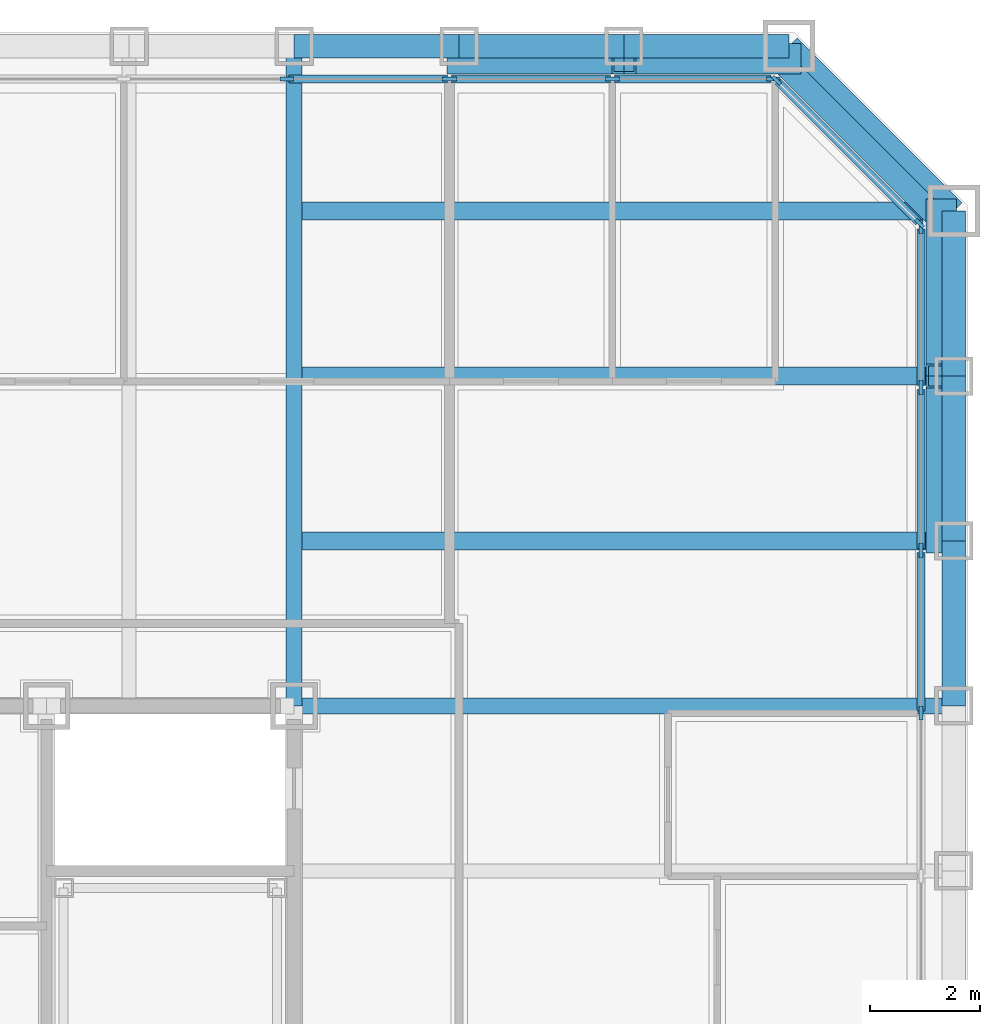
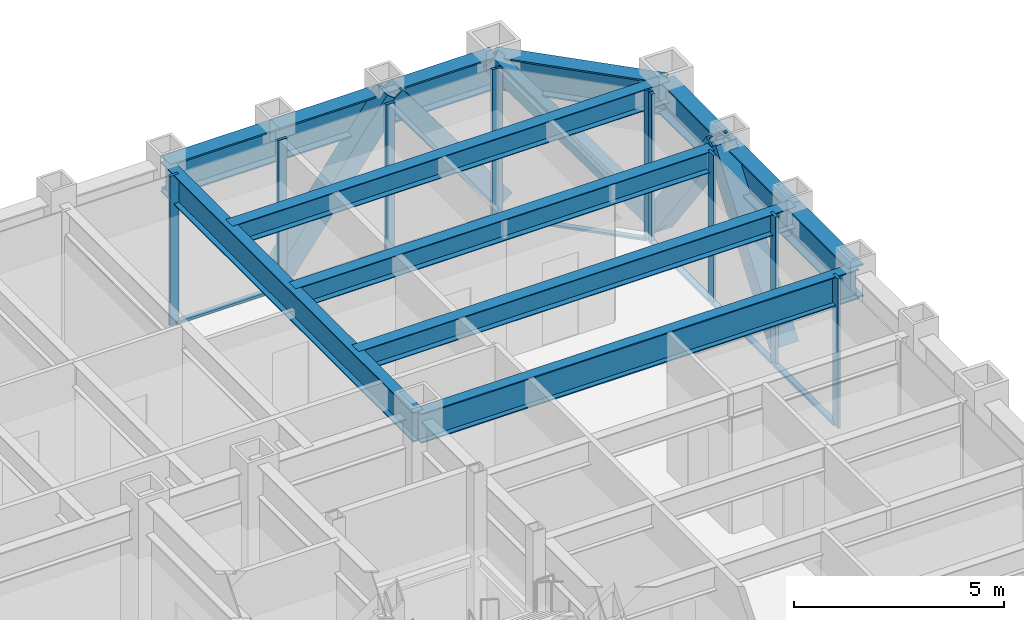
# One storey, part 6 of 16: 22 members, 12 beams, 3 elements without a shape of their own.
"""IFC4 building model written with IfcOpenShell, lengths in metres."""

from ifc_helpers import new_model, si_unit, direction, frame, origin, origin_2d, place, context, subcontext, project, spatial, rectangle, hollow_rectangle, i_section, extrude, material, layer, layer_set, material_profile, profile_set, type_object, element, aggregate, save


model = new_model("IFC4")

# Units and contexts
model_context = context("Model", 3, precision=1e-05, world=origin(), true_north=direction((0.0, 1.0)))
body_context = subcontext(model_context, "Body", "Model", "MODEL_VIEW")
ifc_project = project(units=[si_unit("LENGTHUNIT", "METRE"), si_unit("AREAUNIT", "SQUARE_METRE"), si_unit("VOLUMEUNIT", "CUBIC_METRE"), si_unit("PLANEANGLEUNIT", "RADIAN"), si_unit("MASSUNIT", "GRAM", prefix="KILO")], contexts=[model_context])

# Site, building, storey
site_placement = place(None, origin())
site = spatial("IfcSite", under=ifc_project, at=site_placement, CompositionType="ELEMENT")
building_placement = place(site_placement, origin())
building = spatial("IfcBuilding", under=site, at=building_placement, Name="Chuquiago Exchange Tower", CompositionType="ELEMENT")
storey_placement = place(building_placement, frame((0.0, 0.0, 73.800048828125)))
storey = spatial("IfcBuildingStorey", under=building, at=storey_placement, Name="L15", CompositionType="ELEMENT", Elevation=73.800048828125)

# Beams
ifc_material_1 = material(Name="Steel ASTM A992", Category="steel")
ifc_material_profile_1 = material_profile(ifc_material_1, i_section(OverallWidth=0.3251953125, OverallDepth=0.6171875, WebThickness=0.013916015625, FlangeThickness=0.021484375, at=origin_2d()), Name="W24X117")
ifc_profile_set_1 = profile_set([ifc_material_profile_1], Name="Steel ASTM A992")
beam_type_1 = type_object("IfcBeamType", Name="B5 W24X117", PredefinedType="BEAM", material=ifc_profile_set_1)
for number, where, z_axis, x_axis, name in (
    (1, (33.0, 36.0, 3.7314453125), (1.0, 0.0, 0.0), (0.0, 1.0, 0.0), "FB-L16-corner-33_36-45_36-0"),
    (2, (33.0, 39.0, 3.7314453125), (1.0, 0.0, 0.0), (0.0, 1.0, 0.0), "FB-L16-corner-33_39-45_39-0"),
    (3, (33.0, 42.0, 3.7314453125), (1.0, 0.0, 0.0), (0.0, 1.0, 0.0), "FB-L16-corner-33_42-45_42-0"),
):
    element("IfcBeam", number, at=place(storey_placement, frame(where, z_axis=z_axis, x_axis=x_axis)), inside=storey, type_object=beam_type_1, Name=name, PredefinedType="BEAM", context=body_context, shape_type="SweptSolid", body=[
        extrude(i_section(OverallWidth=0.3251953125, OverallDepth=0.6171875, WebThickness=0.013916015625, FlangeThickness=0.021484375, at=origin_2d()), origin(), (0.0, 0.0, 1.0), 12.0),
    ])

# Curtain wall, members
ifc_material_2 = material(Name="Aluminium curtain wall system", Category="aluminium")
ifc_layer_1 = layer(ifc_material_2, 0.25)
ifc_layer_set_1 = layer_set([ifc_layer_1], Name="CW1 trading floor curtain wall")
curtain_wall_type_1 = type_object("IfcCurtainWallType", Name="CW1 trading floor curtain wall", PredefinedType="NOTDEFINED", material=ifc_layer_set_1)
curtain_wall_1_placement = place(storey_placement, origin())
curtain_wall_1 = element("IfcCurtainWall", 4, at=curtain_wall_1_placement, inside=storey, type_object=curtain_wall_type_1, Name="CW1 curtain wall L15", PredefinedType="NOTDEFINED")
ifc_material_3 = material(Name="Aluminium mullion, pale anodised", Category="aluminium")
ifc_material_profile_2 = material_profile(ifc_material_3, rectangle(XDim=0.074951171875, YDim=0.25, at=origin_2d()), Name="AL 75x250")
ifc_profile_set_2 = profile_set([ifc_material_profile_2], Name="Aluminium mullion, pale anodised")
member_type_1 = type_object("IfcMemberType", Name="CW1-M mullion 75x250", PredefinedType="MULLION", material=ifc_profile_set_2)
member_1_placement = place(storey_placement, frame((44.39990234375, 32.8662109375, -0.300048828125), z_axis=(0.0, 0.0, 1.0), x_axis=(-1.0, 0.0, 0.0)))
member_1 = element("IfcMember", 5, at=member_1_placement, type_object=member_type_1, Name="CW1 mullion 11", PredefinedType="MULLION", context=body_context, shape_type="SweptSolid", body=[
    extrude(rectangle(XDim=0.074951171875, YDim=0.25, at=origin_2d()), origin(), (0.0, 0.0, 1.0), 4.340087890625),
])
member_2_placement = place(storey_placement, frame((44.39990234375, 35.827880859375, -0.300048828125), z_axis=(0.0, 0.0, 1.0), x_axis=(-1.0, 0.0, 0.0)))
member_2 = element("IfcMember", 6, at=member_2_placement, type_object=member_type_1, Name="CW1 mullion 12", PredefinedType="MULLION", context=body_context, shape_type="SweptSolid", body=[
    extrude(rectangle(XDim=0.074951171875, YDim=0.25, at=origin_2d()), origin(), (0.0, 0.0, 1.0), 4.340087890625),
])
member_3_placement = place(storey_placement, frame((44.39990234375, 38.789794921875, -0.300048828125), z_axis=(0.0, 0.0, 1.0), x_axis=(-1.0, 0.0, 0.0)))
member_3 = element("IfcMember", 7, at=member_3_placement, type_object=member_type_1, Name="CW1 mullion 13", PredefinedType="MULLION", context=body_context, shape_type="SweptSolid", body=[
    extrude(rectangle(XDim=0.074951171875, YDim=0.25, at=origin_2d()), origin(), (0.0, 0.0, 1.0), 4.340087890625),
])
member_4_placement = place(storey_placement, frame((44.39990234375, 41.714111328125, -0.300048828125), z_axis=(0.0, 0.0, 1.0), x_axis=(-1.0, 0.0, 0.0)))
member_4 = element("IfcMember", 8, at=member_4_placement, type_object=member_type_1, Name="CW1 mullion 14", PredefinedType="MULLION", context=body_context, shape_type="SweptSolid", body=[
    extrude(rectangle(XDim=0.074951171875, YDim=0.25, at=origin_2d()), origin(), (0.0, 0.0, 1.0), 4.340087890625),
])

curtain_wall_2_placement = place(storey_placement, origin())
curtain_wall_2 = element("IfcCurtainWall", 9, at=curtain_wall_2_placement, inside=storey, type_object=curtain_wall_type_1, Name="CW1 curtain wall L15", PredefinedType="NOTDEFINED")
member_5_placement = place(storey_placement, frame((41.714111328125, 44.39990234375, -0.300048828125), z_axis=(0.0, 0.0, 1.0), x_axis=(0.0, -1.0, 0.0)))
member_5 = element("IfcMember", 10, at=member_5_placement, type_object=member_type_1, Name="CW1 mullion 1", PredefinedType="MULLION", context=body_context, shape_type="SweptSolid", body=[
    extrude(rectangle(XDim=0.074951171875, YDim=0.25, at=origin_2d()), origin(), (0.0, 0.0, 1.0), 4.340087890625),
])
member_6_placement = place(storey_placement, frame((38.789794921875, 44.39990234375, -0.300048828125), z_axis=(0.0, 0.0, 1.0), x_axis=(0.0, -1.0, 0.0)))
member_6 = element("IfcMember", 11, at=member_6_placement, type_object=member_type_1, Name="CW1 mullion 2", PredefinedType="MULLION", context=body_context, shape_type="SweptSolid", body=[
    extrude(rectangle(XDim=0.074951171875, YDim=0.25, at=origin_2d()), origin(), (0.0, 0.0, 1.0), 4.340087890625),
])
member_7_placement = place(storey_placement, frame((35.827880859375, 44.39990234375, -0.300048828125), z_axis=(0.0, 0.0, 1.0), x_axis=(0.0, -1.0, 0.0)))
member_7 = element("IfcMember", 12, at=member_7_placement, type_object=member_type_1, Name="CW1 mullion 3", PredefinedType="MULLION", context=body_context, shape_type="SweptSolid", body=[
    extrude(rectangle(XDim=0.074951171875, YDim=0.25, at=origin_2d()), origin(), (0.0, 0.0, 1.0), 4.340087890625),
])
member_8_placement = place(storey_placement, frame((32.8662109375, 44.39990234375, -0.300048828125), z_axis=(0.0, 0.0, 1.0), x_axis=(0.0, -1.0, 0.0)))
member_8 = element("IfcMember", 13, at=member_8_placement, type_object=member_type_1, Name="CW1 mullion 4", PredefinedType="MULLION", context=body_context, shape_type="SweptSolid", body=[
    extrude(rectangle(XDim=0.074951171875, YDim=0.25, at=origin_2d()), origin(), (0.0, 0.0, 1.0), 4.340087890625),
])

# Member
ifc_material_4 = material(Name="Aluminium transom, pale anodised", Category="aluminium")
ifc_material_profile_3 = material_profile(ifc_material_4, rectangle(XDim=0.14990234375, YDim=0.074951171875, at=origin_2d()), Name="AL 150x75")
ifc_profile_set_3 = profile_set([ifc_material_profile_3], Name="Aluminium transom, pale anodised")
member_type_2 = type_object("IfcMemberType", Name="CW1-T transom 75x150", PredefinedType="MULLION", material=ifc_profile_set_3)
member_9_placement = place(storey_placement, frame((44.39990234375, 32.90380859375, -0.262451171875), z_axis=(0.0, 1.0, 0.0), x_axis=(-1.0, 0.0, 0.0)))
member_9 = element("IfcMember", 14, at=member_9_placement, type_object=member_type_2, Name="CW1 transom 11.1", PredefinedType="MULLION", context=body_context, shape_type="SweptSolid", body=[
    extrude(rectangle(XDim=0.14990234375, YDim=0.074951171875, at=origin_2d()), origin(), (0.0, 0.0, 1.0), 2.88671875),
])

member_10_placement = place(storey_placement, frame((44.39990234375, 35.865478515625, -0.262451171875), z_axis=(0.0, 1.0, 0.0), x_axis=(-1.0, 0.0, 0.0)))
member_10 = element("IfcMember", 15, at=member_10_placement, type_object=member_type_2, Name="CW1 transom 12.1", PredefinedType="MULLION", context=body_context, shape_type="SweptSolid", body=[
    extrude(rectangle(XDim=0.14990234375, YDim=0.074951171875, at=origin_2d()), origin(), (0.0, 0.0, 1.0), 2.88671875),
])

member_11_placement = place(storey_placement, frame((44.39990234375, 38.8271484375, -0.262451171875), z_axis=(0.0, 1.0, 0.0), x_axis=(-1.0, 0.0, 0.0)))
member_11 = element("IfcMember", 16, at=member_11_placement, type_object=member_type_2, Name="CW1 transom 13.1", PredefinedType="MULLION", context=body_context, shape_type="SweptSolid", body=[
    extrude(rectangle(XDim=0.14990234375, YDim=0.074951171875, at=origin_2d()), origin(), (0.0, 0.0, 1.0), 2.849365234375),
])

aggregate(curtain_wall_1, [member_1, member_2, member_3, member_4, member_9, member_10, member_11])

member_12_placement = place(storey_placement, frame((41.676513671875, 44.39990234375, -0.262451171875), z_axis=(-1.0, 0.0, 0.0), x_axis=(0.0, -1.0, 0.0)))
member_12 = element("IfcMember", 17, at=member_12_placement, type_object=member_type_2, Name="CW1 transom 1.1", PredefinedType="MULLION", context=body_context, shape_type="SweptSolid", body=[
    extrude(rectangle(XDim=0.14990234375, YDim=0.074951171875, at=origin_2d()), origin(), (0.0, 0.0, 1.0), 2.849365234375),
])

member_13_placement = place(storey_placement, frame((38.752197265625, 44.39990234375, -0.262451171875), z_axis=(-1.0, 0.0, 0.0), x_axis=(0.0, -1.0, 0.0)))
member_13 = element("IfcMember", 18, at=member_13_placement, type_object=member_type_2, Name="CW1 transom 2.1", PredefinedType="MULLION", context=body_context, shape_type="SweptSolid", body=[
    extrude(rectangle(XDim=0.14990234375, YDim=0.074951171875, at=origin_2d()), origin(), (0.0, 0.0, 1.0), 2.88671875),
])

member_14_placement = place(storey_placement, frame((35.79052734375, 44.39990234375, -0.262451171875), z_axis=(-1.0, 0.0, 0.0), x_axis=(0.0, -1.0, 0.0)))
member_14 = element("IfcMember", 19, at=member_14_placement, type_object=member_type_2, Name="CW1 transom 3.1", PredefinedType="MULLION", context=body_context, shape_type="SweptSolid", body=[
    extrude(rectangle(XDim=0.14990234375, YDim=0.074951171875, at=origin_2d()), origin(), (0.0, 0.0, 1.0), 2.88671875),
])

aggregate(curtain_wall_2, [member_5, member_6, member_7, member_8, member_12, member_13, member_14])

# Curtain wall, members
ifc_material_5 = material(Name="Aluminium curtain wall system", Category="aluminium")
ifc_layer_2 = layer(ifc_material_5, 0.199951171875)
ifc_layer_set_2 = layer_set([ifc_layer_2], Name="CW3 facet curtain wall")
curtain_wall_type_2 = type_object("IfcCurtainWallType", Name="CW3 facet curtain wall", PredefinedType="NOTDEFINED", material=ifc_layer_set_2)
curtain_wall_3_placement = place(storey_placement, origin())
curtain_wall_3 = element("IfcCurtainWall", 20, at=curtain_wall_3_placement, inside=storey, type_object=curtain_wall_type_2, Name="CW3 curtain wall L15", PredefinedType="NOTDEFINED")
ifc_material_6 = material(Name="Aluminium mullion, pale anodised", Category="aluminium")
ifc_material_profile_4 = material_profile(ifc_material_6, rectangle(XDim=0.06494140625, YDim=0.199951171875, at=origin_2d()), Name="AL 65x200")
ifc_profile_set_4 = profile_set([ifc_material_profile_4], Name="Aluminium mullion, pale anodised")
member_type_3 = type_object("IfcMemberType", Name="CW3-M mullion 65x200", PredefinedType="MULLION", material=ifc_profile_set_4)
member_15_placement = place(storey_placement, frame((44.376953125, 41.7744140625, -0.300048828125), z_axis=(0.0, 0.0, 1.0), x_axis=(-0.707106781187, -0.707106781187, 0.0)))
member_15 = element("IfcMember", 21, at=member_15_placement, type_object=member_type_3, Name="CW3 mullion 1", PredefinedType="MULLION", context=body_context, shape_type="SweptSolid", body=[
    extrude(rectangle(XDim=0.06494140625, YDim=0.199951171875, at=origin_2d()), origin(), (0.0, 0.0, 1.0), 4.340087890625),
])
member_16_placement = place(storey_placement, frame((41.7744140625, 44.376953125, -0.300048828125), z_axis=(0.0, 0.0, 1.0), x_axis=(-0.707106781187, -0.707106781187, 0.0)))
member_16 = element("IfcMember", 22, at=member_16_placement, type_object=member_type_3, Name="CW3 mullion 2", PredefinedType="MULLION", context=body_context, shape_type="SweptSolid", body=[
    extrude(rectangle(XDim=0.06494140625, YDim=0.199951171875, at=origin_2d()), origin(), (0.0, 0.0, 1.0), 4.340087890625),
])
ifc_material_7 = material(Name="Aluminium transom, pale anodised", Category="aluminium")
ifc_material_profile_5 = material_profile(ifc_material_7, rectangle(XDim=0.139892578125, YDim=0.06494140625, at=origin_2d()), Name="AL 140x65")
ifc_profile_set_5 = profile_set([ifc_material_profile_5], Name="Aluminium transom, pale anodised")
member_type_4 = type_object("IfcMemberType", Name="CW3-T transom 65x140", PredefinedType="MULLION", material=ifc_profile_set_5)
member_17_placement = place(storey_placement, frame((44.35400390625, 41.79736328125, -0.267578125), z_axis=(-0.707106781187, 0.707106781187, 0.0), x_axis=(-0.707106781187, -0.707106781187, 0.0)))
member_17 = element("IfcMember", 23, at=member_17_placement, type_object=member_type_4, Name="CW3 transom 1.1", PredefinedType="MULLION", context=body_context, shape_type="SweptSolid", body=[
    extrude(rectangle(XDim=0.139892578125, YDim=0.06494140625, at=origin_2d()), origin(), (0.0, 0.0, 1.0), 3.61572265625),
])
aggregate(curtain_wall_3, [member_15, member_16, member_17])

# Beams
ifc_material_8 = material(Name="Steel ASTM A992", Category="steel")
ifc_material_profile_6 = material_profile(ifc_material_8, i_section(OverallWidth=0.2919921875, OverallDepth=0.8583984375, WebThickness=0.01708984375, FlangeThickness=0.031005859375, at=origin_2d()), Name="W33X169")
ifc_profile_set_6 = profile_set([ifc_material_profile_6], Name="Steel ASTM A992")
beam_type_2 = type_object("IfcBeamType", Name="G2 W33X169", PredefinedType="BEAM", material=ifc_profile_set_6)
for number, where, z_axis, x_axis, name in (
    (24, (33.0, 33.0, 3.610595703125), (0.0, 1.0, 0.0), (-1.0, 0.0, 0.0), "FB-L16-girder-33_33-33_45-0"),
    (25, (33.0, 33.0, 3.610595703125), (1.0, 0.0, 0.0), (0.0, 1.0, 0.0), "FB-L16-girder-33_33-45_33-0"),
):
    element("IfcBeam", number, at=place(storey_placement, frame(where, z_axis=z_axis, x_axis=x_axis)), inside=storey, type_object=beam_type_2, Name=name, PredefinedType="BEAM", context=body_context, shape_type="SweptSolid", body=[
        extrude(i_section(OverallWidth=0.2919921875, OverallDepth=0.8583984375, WebThickness=0.01708984375, FlangeThickness=0.031005859375, at=origin_2d()), origin(), (0.0, 0.0, 1.0), 12.0),
    ])

# Members
ifc_material_9 = material(Name="Steel ASTM A500 Grade C", Category="steel")
ifc_material_profile_7 = material_profile(ifc_material_9, hollow_rectangle(XDim=0.406494140625, YDim=0.406494140625, WallThickness=0.0146484375, at=origin_2d()), Name="HSS16X16X5/8")
ifc_profile_set_7 = profile_set([ifc_material_profile_7], Name="Steel ASTM A500 Grade C")
member_type_5 = type_object("IfcMemberType", Name="LB4 HSS16X16X5/8", PredefinedType="BRACE", material=ifc_profile_set_7)
member_18_placement = place(storey_placement, frame((44.78662109375, 41.78662109375, 0.0), z_axis=(-0.512077265487, 0.512077265487, 0.689604051861), x_axis=(-0.707106781187, -0.707106781187, 0.0)))
element("IfcMember", 26, at=member_18_placement, inside=storey, type_object=member_type_5, Name="LB-L15-45_42-42_45", PredefinedType="BRACE", context=body_context, shape_type="SweptSolid", body=[
    extrude(hollow_rectangle(XDim=0.406494140625, YDim=0.406494140625, WallThickness=0.0146484375, at=origin_2d()), origin(), (0.0, 0.0, 1.0), 5.8583984375),
])
ifc_material_10 = material(Name="Steel ASTM A572 Grade 50", Category="steel")
ifc_material_profile_8 = material_profile(ifc_material_10, hollow_rectangle(XDim=0.550048828125, YDim=0.550048828125, WallThickness=0.044921875, at=origin_2d()), Name="BOX550X550X45")
ifc_profile_set_8 = profile_set([ifc_material_profile_8], Name="Steel ASTM A572 Grade 50")
member_type_6 = type_object("IfcMemberType", Name="MB1 BOX550X550X45", PredefinedType="BRACE", material=ifc_profile_set_8)
for number, where, z_axis, x_axis, name in (
    (27, (44.77001953125, 36.0, 0.0), (0.0, 0.596173923302, 0.802855312728), (-1.0, 0.0, 0.0), "Mega diagonal L15 E face"),
    (28, (44.77001953125, 42.0, 0.0), (0.0, -0.596173923302, 0.802855312728), (1.0, 0.0, 0.0), "Mega diagonal L15 E face"),
    (29, (42.0, 44.77001953125, 0.0), (-0.596173923302, 0.0, 0.802855312728), (0.0, -1.0, 0.0), "Mega diagonal L15 N face"),
    (30, (36.0, 44.77001953125, 0.0), (0.596173923302, 0.0, 0.802855312728), (0.0, 1.0, 0.0), "Mega diagonal L15 N face"),
):
    element("IfcMember", number, at=place(storey_placement, frame(where, z_axis=z_axis, x_axis=x_axis)), inside=storey, type_object=member_type_6, Name=name, PredefinedType="BRACE", context=body_context, shape_type="SweptSolid", body=[
        extrude(hollow_rectangle(XDim=0.550048828125, YDim=0.550048828125, WallThickness=0.044921875, at=origin_2d()), origin(), (0.0, 0.0, 1.0), 5.031982421875),
    ])

# Beams
ifc_material_11 = material(Name="Steel ASTM A992", Category="steel")
ifc_material_profile_9 = material_profile(ifc_material_11, i_section(OverallWidth=0.424072265625, OverallDepth=0.947509765625, WebThickness=0.02392578125, FlangeThickness=0.042724609375, at=origin_2d()), Name="W36X302")
ifc_profile_set_9 = profile_set([ifc_material_profile_9], Name="Steel ASTM A992")
beam_type_3 = type_object("IfcBeamType", Name="SP1 W36X302", PredefinedType="SPANDREL", material=ifc_profile_set_9)
for number, where, z_axis, x_axis, name in (
    (31, (45.0, 33.0, 3.566162109375), (0.0, 1.0, 0.0), (-1.0, 0.0, 0.0), "SPB-L16-45_33-45_36"),
    (32, (45.0, 36.0, 3.566162109375), (0.0, 1.0, 0.0), (-1.0, 0.0, 0.0), "SPB-L16-45_36-45_39"),
    (33, (45.0, 39.0, 3.566162109375), (0.0, 1.0, 0.0), (-1.0, 0.0, 0.0), "SPB-L16-45_39-45_42"),
):
    element("IfcBeam", number, at=place(storey_placement, frame(where, z_axis=z_axis, x_axis=x_axis)), inside=storey, type_object=beam_type_3, Name=name, PredefinedType="SPANDREL", context=body_context, shape_type="SweptSolid", body=[
        extrude(i_section(OverallWidth=0.424072265625, OverallDepth=0.947509765625, WebThickness=0.02392578125, FlangeThickness=0.042724609375, at=origin_2d()), origin(), (0.0, 0.0, 1.0), 3.0),
    ])
beam_placement = place(storey_placement, frame((45.0, 42.0, 3.566162109375), z_axis=(-0.707106781187, 0.707106781187, 0.0), x_axis=(-0.707106781187, -0.707106781187, 0.0)))
element("IfcBeam", 34, at=beam_placement, inside=storey, type_object=beam_type_3, Name="SPB-L16-45_42-42_45", PredefinedType="SPANDREL", context=body_context, shape_type="SweptSolid", body=[
    extrude(i_section(OverallWidth=0.424072265625, OverallDepth=0.947509765625, WebThickness=0.02392578125, FlangeThickness=0.042724609375, at=origin_2d()), origin(), (0.0, 0.0, 1.0), 4.24267578125),
])
for number, where, z_axis, x_axis, name in (
    (35, (42.0, 45.0, 3.566162109375), (-1.0, 0.0, 0.0), (0.0, -1.0, 0.0), "SPB-L16-42_45-39_45"),
    (36, (39.0, 45.0, 3.566162109375), (-1.0, 0.0, 0.0), (0.0, -1.0, 0.0), "SPB-L16-39_45-36_45"),
    (37, (36.0, 45.0, 3.566162109375), (-1.0, 0.0, 0.0), (0.0, -1.0, 0.0), "SPB-L16-36_45-33_45"),
):
    element("IfcBeam", number, at=place(storey_placement, frame(where, z_axis=z_axis, x_axis=x_axis)), inside=storey, type_object=beam_type_3, Name=name, PredefinedType="SPANDREL", context=body_context, shape_type="SweptSolid", body=[
        extrude(i_section(OverallWidth=0.424072265625, OverallDepth=0.947509765625, WebThickness=0.02392578125, FlangeThickness=0.042724609375, at=origin_2d()), origin(), (0.0, 0.0, 1.0), 3.0),
    ])

save(model, "model.ifc")
